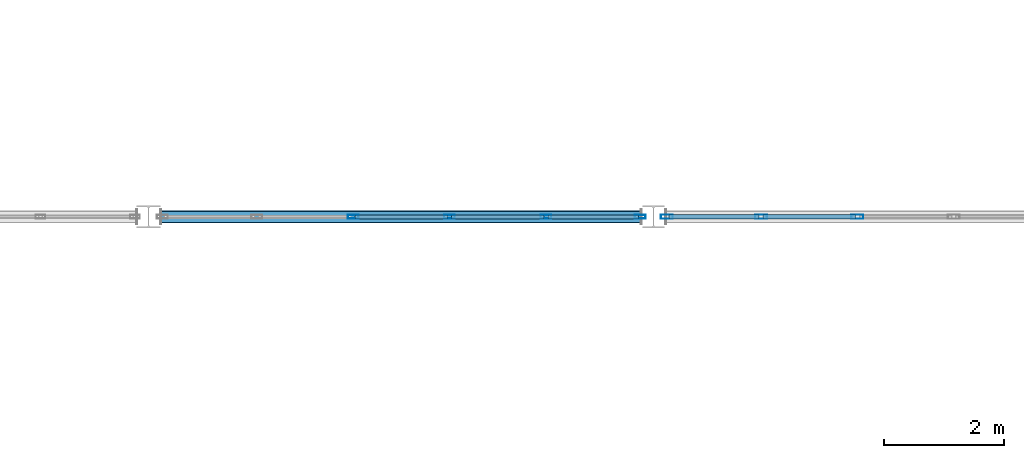
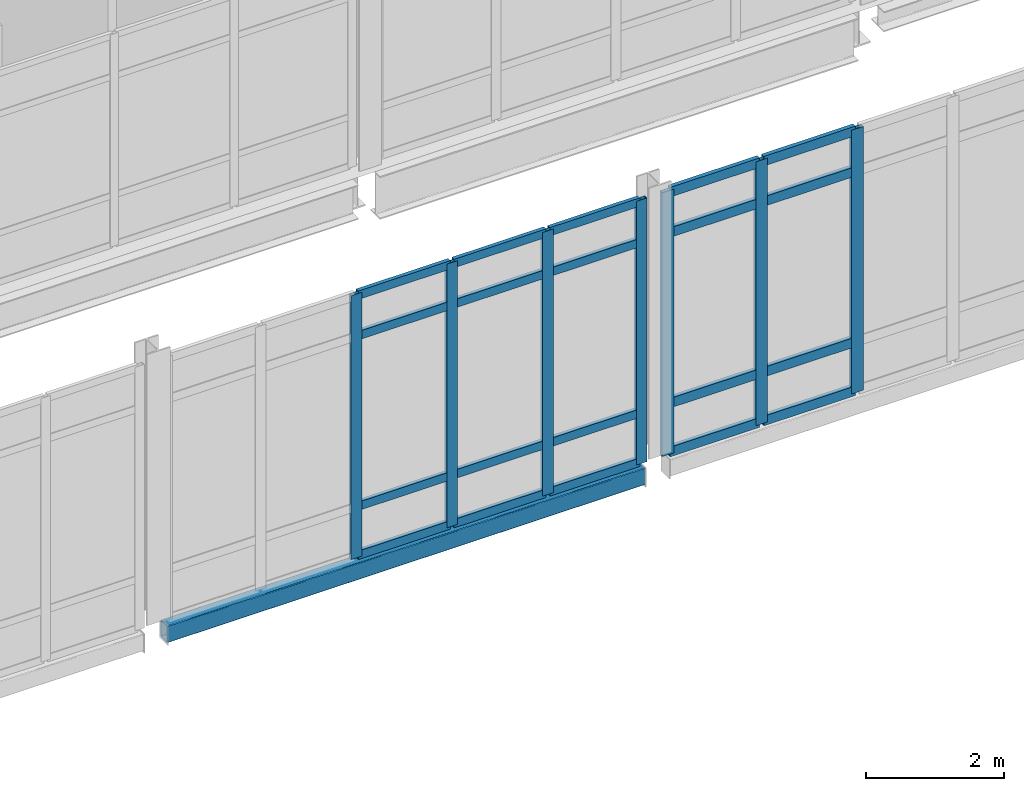
# One storey, part 21 of 186: 27 members, 1 beam, 2 elements without a shape of their own.
"""IFC4 building model written with IfcOpenShell, lengths in metres."""

from ifc_helpers import new_model, si_unit, direction, frame, origin, origin_2d, place, context, subcontext, project, spatial, hollow_rectangle, extrude, material, layer, layer_set, material_profile, profile_set, type_object, element, aggregate, save


model = new_model("IFC4")

# Units and contexts
model_context = context("Model", 3, precision=1e-05, world=origin(), true_north=direction((0.0, 1.0)))
body_context = subcontext(model_context, "Body", "Model", "MODEL_VIEW")
ifc_project = project(units=[si_unit("LENGTHUNIT", "METRE"), si_unit("AREAUNIT", "SQUARE_METRE"), si_unit("VOLUMEUNIT", "CUBIC_METRE"), si_unit("PLANEANGLEUNIT", "RADIAN"), si_unit("MASSUNIT", "GRAM", prefix="KILO")], contexts=[model_context])

# Site, building, storey
site_placement = place(None, origin())
site = spatial("IfcSite", under=ifc_project, at=site_placement, CompositionType="ELEMENT")
building_placement = place(site_placement, origin())
building = spatial("IfcBuilding", under=site, at=building_placement, Name="Calvrana Isthmian Art Gallery", CompositionType="ELEMENT")
storey_placement = place(building_placement, frame((0.0, 0.0, 5.39990234375)))
storey = spatial("IfcBuildingStorey", under=building, at=storey_placement, Name="L01", CompositionType="ELEMENT", Elevation=5.39990234375)

# Beam
ifc_material_1 = material(Name="Steel ASTM A500 Gr C", Category="steel")
ifc_material_profile_1 = material_profile(ifc_material_1, hollow_rectangle(XDim=0.203125, YDim=0.3046875, WallThickness=0.0126953125, OuterFilletRadius=0.02490234375, at=origin_2d()), Name="HSS305X203X12.7")
ifc_profile_set_1 = profile_set([ifc_material_profile_1], Name="Steel ASTM A500 Gr C")
beam_type = type_object("IfcBeamType", Name="BM-SP-HSS305", PredefinedType="SPANDREL", material=ifc_profile_set_1)
beam_placement = place(storey_placement, frame((30.199462890625, 21.60009765625, -0.349853515625), z_axis=(1.0, 0.0, 0.0), x_axis=(0.0, 1.0, 0.0)))
element("IfcBeam", 1, at=beam_placement, inside=storey, type_object=beam_type, Name="Foyer double-height spandrel L01 05-06/D", PredefinedType="SPANDREL", context=body_context, shape_type="SweptSolid", body=[
    extrude(hollow_rectangle(XDim=0.203125, YDim=0.3046875, WallThickness=0.0126953125, OuterFilletRadius=0.02490234375, at=origin_2d()), origin(), (0.0, 0.0, 1.0), 7.99755859375),
])

# Curtain wall, members
ifc_material_2 = material(Name="Anodized bronze aluminium 6063-T6", Category="aluminium")
ifc_layer = layer(ifc_material_2, 0.179931640625, Name="Anodized bronze aluminium 6063-T6")
ifc_layer_set = layer_set([ifc_layer], Name="Anodized bronze aluminium 6063-T6")
curtain_wall_type = type_object("IfcCurtainWallType", Name="CW-STICK-080X47", PredefinedType="NOTDEFINED", material=ifc_layer_set)
curtain_wall_1_placement = place(storey_placement, origin())
curtain_wall_1 = element("IfcCurtainWall", 2, at=curtain_wall_1_placement, inside=storey, type_object=curtain_wall_type, Name="Curtain wall CW-002", PredefinedType="NOTDEFINED")
ifc_material_profile_2 = material_profile(ifc_material_2, hollow_rectangle(XDim=0.06494140625, YDim=0.179931640625, WallThickness=0.00439453125, at=origin_2d()), Name="CWM65X180")
ifc_profile_set_2 = profile_set([ifc_material_profile_2], Name="Anodized bronze aluminium 6063-T6")
member_type_1 = type_object("IfcMemberType", Name="CWM-CWM65X180", PredefinedType="MULLION", material=ifc_profile_set_2)
member_1_placement = place(storey_placement, frame((38.180908203125, 21.60009765625, -0.14990234375), z_axis=(0.0, 0.0, 1.0), x_axis=(0.0, -1.0, 0.0)))
member_1 = element("IfcMember", 3, at=member_1_placement, type_object=member_type_1, Name="CW-002 mullion 1", PredefinedType="MULLION", context=body_context, shape_type="SweptSolid", body=[
    extrude(hollow_rectangle(XDim=0.06494140625, YDim=0.179931640625, WallThickness=0.00439453125, at=origin_2d()), origin(), (0.0, 0.0, 1.0), 4.669921875),
])
member_2_placement = place(storey_placement, frame((36.610107421875, 21.60009765625, -0.14990234375), z_axis=(0.0, 0.0, 1.0), x_axis=(0.0, -1.0, 0.0)))
member_2 = element("IfcMember", 4, at=member_2_placement, type_object=member_type_1, Name="CW-002 mullion 2", PredefinedType="MULLION", context=body_context, shape_type="SweptSolid", body=[
    extrude(hollow_rectangle(XDim=0.06494140625, YDim=0.179931640625, WallThickness=0.00439453125, at=origin_2d()), origin(), (0.0, 0.0, 1.0), 4.669921875),
])
member_3_placement = place(storey_placement, frame((35.0068359375, 21.60009765625, -0.14990234375), z_axis=(0.0, 0.0, 1.0), x_axis=(0.0, -1.0, 0.0)))
member_3 = element("IfcMember", 5, at=member_3_placement, type_object=member_type_1, Name="CW-002 mullion 3", PredefinedType="MULLION", context=body_context, shape_type="SweptSolid", body=[
    extrude(hollow_rectangle(XDim=0.06494140625, YDim=0.179931640625, WallThickness=0.00439453125, at=origin_2d()), origin(), (0.0, 0.0, 1.0), 4.669921875),
])
member_4_placement = place(storey_placement, frame((33.403564453125, 21.60009765625, -0.14990234375), z_axis=(0.0, 0.0, 1.0), x_axis=(0.0, -1.0, 0.0)))
member_4 = element("IfcMember", 6, at=member_4_placement, type_object=member_type_1, Name="CW-002 mullion 4", PredefinedType="MULLION", context=body_context, shape_type="SweptSolid", body=[
    extrude(hollow_rectangle(XDim=0.06494140625, YDim=0.179931640625, WallThickness=0.00439453125, at=origin_2d()), origin(), (0.0, 0.0, 1.0), 4.669921875),
])

curtain_wall_2_placement = place(storey_placement, origin())
curtain_wall_2 = element("IfcCurtainWall", 7, at=curtain_wall_2_placement, inside=storey, type_object=curtain_wall_type, Name="Curtain wall CW-003", PredefinedType="NOTDEFINED")
ifc_material_profile_3 = material_profile(ifc_material_2, hollow_rectangle(XDim=0.070068359375, YDim=0.199951171875, WallThickness=0.0048828125, at=origin_2d()), Name="CWM70X200")
ifc_profile_set_3 = profile_set([ifc_material_profile_3], Name="Anodized bronze aluminium 6063-T6")
member_type_2 = type_object("IfcMemberType", Name="CWM-CWM70X200", PredefinedType="MULLION", material=ifc_profile_set_3)
member_5_placement = place(storey_placement, frame((41.7919921875, 21.60009765625, -0.14990234375), z_axis=(0.0, 0.0, 1.0), x_axis=(0.0, -1.0, 0.0)))
member_5 = element("IfcMember", 8, at=member_5_placement, type_object=member_type_2, Name="CW-003 mullion 4", PredefinedType="MULLION", context=body_context, shape_type="SweptSolid", body=[
    extrude(hollow_rectangle(XDim=0.070068359375, YDim=0.199951171875, WallThickness=0.0048828125, at=origin_2d()), origin(), (0.0, 0.0, 1.0), 4.669921875),
])
member_6_placement = place(storey_placement, frame((40.189208984375, 21.60009765625, -0.14990234375), z_axis=(0.0, 0.0, 1.0), x_axis=(0.0, -1.0, 0.0)))
member_6 = element("IfcMember", 9, at=member_6_placement, type_object=member_type_2, Name="CW-003 mullion 5", PredefinedType="MULLION", context=body_context, shape_type="SweptSolid", body=[
    extrude(hollow_rectangle(XDim=0.070068359375, YDim=0.199951171875, WallThickness=0.0048828125, at=origin_2d()), origin(), (0.0, 0.0, 1.0), 4.669921875),
])
member_7_placement = place(storey_placement, frame((38.62158203125, 21.60009765625, -0.14990234375), z_axis=(0.0, 0.0, 1.0), x_axis=(0.0, -1.0, 0.0)))
member_7 = element("IfcMember", 10, at=member_7_placement, type_object=member_type_2, Name="CW-003 mullion 6", PredefinedType="MULLION", context=body_context, shape_type="SweptSolid", body=[
    extrude(hollow_rectangle(XDim=0.070068359375, YDim=0.199951171875, WallThickness=0.0048828125, at=origin_2d()), origin(), (0.0, 0.0, 1.0), 4.669921875),
])

# Member
ifc_material_profile_4 = material_profile(ifc_material_2, hollow_rectangle(XDim=0.06494140625, YDim=0.14990234375, WallThickness=0.00390625, at=origin_2d()), Name="CWT65X150")
ifc_profile_set_4 = profile_set([ifc_material_profile_4], Name="Anodized bronze aluminium 6063-T6")
member_type_3 = type_object("IfcMemberType", Name="CWT-CWT65X150", PredefinedType="USERDEFINED", material=ifc_profile_set_4)
member_8_placement = place(storey_placement, frame((38.1484375, 21.60009765625, -0.117431640625), z_axis=(-1.0, 0.0, 0.0), x_axis=(0.0, -1.0, 0.0)))
member_8 = element("IfcMember", 11, at=member_8_placement, type_object=member_type_3, Name="CW-002 transom 1.1", ObjectType="TRANSOM", PredefinedType="USERDEFINED", context=body_context, shape_type="SweptSolid", body=[
    extrude(hollow_rectangle(XDim=0.06494140625, YDim=0.14990234375, WallThickness=0.00390625, at=origin_2d()), origin(), (0.0, 0.0, 1.0), 1.505859375),
])

member_9_placement = place(storey_placement, frame((38.1484375, 21.60009765625, 0.75), z_axis=(-1.0, 0.0, 0.0), x_axis=(0.0, -1.0, 0.0)))
member_9 = element("IfcMember", 12, at=member_9_placement, type_object=member_type_3, Name="CW-002 transom 1.2", ObjectType="TRANSOM", PredefinedType="USERDEFINED", context=body_context, shape_type="SweptSolid", body=[
    extrude(hollow_rectangle(XDim=0.06494140625, YDim=0.14990234375, WallThickness=0.00390625, at=origin_2d()), origin(), (0.0, 0.0, 1.0), 1.505859375),
])

member_10_placement = place(storey_placement, frame((38.1484375, 21.60009765625, 3.77001953125), z_axis=(-1.0, 0.0, 0.0), x_axis=(0.0, -1.0, 0.0)))
member_10 = element("IfcMember", 13, at=member_10_placement, type_object=member_type_3, Name="CW-002 transom 1.3", ObjectType="TRANSOM", PredefinedType="USERDEFINED", context=body_context, shape_type="SweptSolid", body=[
    extrude(hollow_rectangle(XDim=0.06494140625, YDim=0.14990234375, WallThickness=0.00390625, at=origin_2d()), origin(), (0.0, 0.0, 1.0), 1.505859375),
])

member_11_placement = place(storey_placement, frame((38.1484375, 21.60009765625, 4.487548828125), z_axis=(-1.0, 0.0, 0.0), x_axis=(0.0, -1.0, 0.0)))
member_11 = element("IfcMember", 14, at=member_11_placement, type_object=member_type_3, Name="CW-002 transom 1.4", ObjectType="TRANSOM", PredefinedType="USERDEFINED", context=body_context, shape_type="SweptSolid", body=[
    extrude(hollow_rectangle(XDim=0.06494140625, YDim=0.14990234375, WallThickness=0.00390625, at=origin_2d()), origin(), (0.0, 0.0, 1.0), 1.505859375),
])

member_12_placement = place(storey_placement, frame((36.57763671875, 21.60009765625, -0.117431640625), z_axis=(-1.0, 0.0, 0.0), x_axis=(0.0, -1.0, 0.0)))
member_12 = element("IfcMember", 15, at=member_12_placement, type_object=member_type_3, Name="CW-002 transom 2.1", ObjectType="TRANSOM", PredefinedType="USERDEFINED", context=body_context, shape_type="SweptSolid", body=[
    extrude(hollow_rectangle(XDim=0.06494140625, YDim=0.14990234375, WallThickness=0.00390625, at=origin_2d()), origin(), (0.0, 0.0, 1.0), 1.538330078125),
])

member_13_placement = place(storey_placement, frame((36.57763671875, 21.60009765625, 0.75), z_axis=(-1.0, 0.0, 0.0), x_axis=(0.0, -1.0, 0.0)))
member_13 = element("IfcMember", 16, at=member_13_placement, type_object=member_type_3, Name="CW-002 transom 2.2", ObjectType="TRANSOM", PredefinedType="USERDEFINED", context=body_context, shape_type="SweptSolid", body=[
    extrude(hollow_rectangle(XDim=0.06494140625, YDim=0.14990234375, WallThickness=0.00390625, at=origin_2d()), origin(), (0.0, 0.0, 1.0), 1.538330078125),
])

member_14_placement = place(storey_placement, frame((36.57763671875, 21.60009765625, 3.77001953125), z_axis=(-1.0, 0.0, 0.0), x_axis=(0.0, -1.0, 0.0)))
member_14 = element("IfcMember", 17, at=member_14_placement, type_object=member_type_3, Name="CW-002 transom 2.3", ObjectType="TRANSOM", PredefinedType="USERDEFINED", context=body_context, shape_type="SweptSolid", body=[
    extrude(hollow_rectangle(XDim=0.06494140625, YDim=0.14990234375, WallThickness=0.00390625, at=origin_2d()), origin(), (0.0, 0.0, 1.0), 1.538330078125),
])

member_15_placement = place(storey_placement, frame((36.57763671875, 21.60009765625, 4.487548828125), z_axis=(-1.0, 0.0, 0.0), x_axis=(0.0, -1.0, 0.0)))
member_15 = element("IfcMember", 18, at=member_15_placement, type_object=member_type_3, Name="CW-002 transom 2.4", ObjectType="TRANSOM", PredefinedType="USERDEFINED", context=body_context, shape_type="SweptSolid", body=[
    extrude(hollow_rectangle(XDim=0.06494140625, YDim=0.14990234375, WallThickness=0.00390625, at=origin_2d()), origin(), (0.0, 0.0, 1.0), 1.538330078125),
])

member_16_placement = place(storey_placement, frame((34.974365234375, 21.60009765625, -0.117431640625), z_axis=(-1.0, 0.0, 0.0), x_axis=(0.0, -1.0, 0.0)))
member_16 = element("IfcMember", 19, at=member_16_placement, type_object=member_type_3, Name="CW-002 transom 3.1", ObjectType="TRANSOM", PredefinedType="USERDEFINED", context=body_context, shape_type="SweptSolid", body=[
    extrude(hollow_rectangle(XDim=0.06494140625, YDim=0.14990234375, WallThickness=0.00390625, at=origin_2d()), origin(), (0.0, 0.0, 1.0), 1.538330078125),
])

member_17_placement = place(storey_placement, frame((34.974365234375, 21.60009765625, 0.75), z_axis=(-1.0, 0.0, 0.0), x_axis=(0.0, -1.0, 0.0)))
member_17 = element("IfcMember", 20, at=member_17_placement, type_object=member_type_3, Name="CW-002 transom 3.2", ObjectType="TRANSOM", PredefinedType="USERDEFINED", context=body_context, shape_type="SweptSolid", body=[
    extrude(hollow_rectangle(XDim=0.06494140625, YDim=0.14990234375, WallThickness=0.00390625, at=origin_2d()), origin(), (0.0, 0.0, 1.0), 1.538330078125),
])

member_18_placement = place(storey_placement, frame((34.974365234375, 21.60009765625, 3.77001953125), z_axis=(-1.0, 0.0, 0.0), x_axis=(0.0, -1.0, 0.0)))
member_18 = element("IfcMember", 21, at=member_18_placement, type_object=member_type_3, Name="CW-002 transom 3.3", ObjectType="TRANSOM", PredefinedType="USERDEFINED", context=body_context, shape_type="SweptSolid", body=[
    extrude(hollow_rectangle(XDim=0.06494140625, YDim=0.14990234375, WallThickness=0.00390625, at=origin_2d()), origin(), (0.0, 0.0, 1.0), 1.538330078125),
])

member_19_placement = place(storey_placement, frame((34.974365234375, 21.60009765625, 4.487548828125), z_axis=(-1.0, 0.0, 0.0), x_axis=(0.0, -1.0, 0.0)))
member_19 = element("IfcMember", 22, at=member_19_placement, type_object=member_type_3, Name="CW-002 transom 3.4", ObjectType="TRANSOM", PredefinedType="USERDEFINED", context=body_context, shape_type="SweptSolid", body=[
    extrude(hollow_rectangle(XDim=0.06494140625, YDim=0.14990234375, WallThickness=0.00390625, at=origin_2d()), origin(), (0.0, 0.0, 1.0), 1.538330078125),
])

aggregate(curtain_wall_1, [member_1, member_2, member_3, member_4, member_8, member_9, member_10, member_11, member_12, member_13, member_14, member_15, member_16, member_17, member_18, member_19])

ifc_material_profile_5 = material_profile(ifc_material_2, hollow_rectangle(XDim=0.070068359375, YDim=0.169921875, WallThickness=0.00439453125, at=origin_2d()), Name="CWT70X170")
ifc_profile_set_5 = profile_set([ifc_material_profile_5], Name="Anodized bronze aluminium 6063-T6")
member_type_4 = type_object("IfcMemberType", Name="CWT-CWT70X170", PredefinedType="USERDEFINED", material=ifc_profile_set_5)
member_20_placement = place(storey_placement, frame((41.757080078125, 21.60009765625, -0.114990234375), z_axis=(-1.0, 0.0, 0.0), x_axis=(0.0, -1.0, 0.0)))
member_20 = element("IfcMember", 23, at=member_20_placement, type_object=member_type_4, Name="CW-003 transom 4.1", ObjectType="TRANSOM", PredefinedType="USERDEFINED", context=body_context, shape_type="SweptSolid", body=[
    extrude(hollow_rectangle(XDim=0.070068359375, YDim=0.169921875, WallThickness=0.00439453125, at=origin_2d()), origin(), (0.0, 0.0, 1.0), 1.53271484375),
])

member_21_placement = place(storey_placement, frame((41.757080078125, 21.60009765625, 0.75), z_axis=(-1.0, 0.0, 0.0), x_axis=(0.0, -1.0, 0.0)))
member_21 = element("IfcMember", 24, at=member_21_placement, type_object=member_type_4, Name="CW-003 transom 4.2", ObjectType="TRANSOM", PredefinedType="USERDEFINED", context=body_context, shape_type="SweptSolid", body=[
    extrude(hollow_rectangle(XDim=0.070068359375, YDim=0.169921875, WallThickness=0.00439453125, at=origin_2d()), origin(), (0.0, 0.0, 1.0), 1.53271484375),
])

member_22_placement = place(storey_placement, frame((41.757080078125, 21.60009765625, 3.77001953125), z_axis=(-1.0, 0.0, 0.0), x_axis=(0.0, -1.0, 0.0)))
member_22 = element("IfcMember", 25, at=member_22_placement, type_object=member_type_4, Name="CW-003 transom 4.3", ObjectType="TRANSOM", PredefinedType="USERDEFINED", context=body_context, shape_type="SweptSolid", body=[
    extrude(hollow_rectangle(XDim=0.070068359375, YDim=0.169921875, WallThickness=0.00439453125, at=origin_2d()), origin(), (0.0, 0.0, 1.0), 1.53271484375),
])

member_23_placement = place(storey_placement, frame((41.757080078125, 21.60009765625, 4.485107421875), z_axis=(-1.0, 0.0, 0.0), x_axis=(0.0, -1.0, 0.0)))
member_23 = element("IfcMember", 26, at=member_23_placement, type_object=member_type_4, Name="CW-003 transom 4.4", ObjectType="TRANSOM", PredefinedType="USERDEFINED", context=body_context, shape_type="SweptSolid", body=[
    extrude(hollow_rectangle(XDim=0.070068359375, YDim=0.169921875, WallThickness=0.00439453125, at=origin_2d()), origin(), (0.0, 0.0, 1.0), 1.53271484375),
])

member_24_placement = place(storey_placement, frame((40.154296875, 21.60009765625, -0.114990234375), z_axis=(-1.0, 0.0, 0.0), x_axis=(0.0, -1.0, 0.0)))
member_24 = element("IfcMember", 27, at=member_24_placement, type_object=member_type_4, Name="CW-003 transom 5.1", ObjectType="TRANSOM", PredefinedType="USERDEFINED", context=body_context, shape_type="SweptSolid", body=[
    extrude(hollow_rectangle(XDim=0.070068359375, YDim=0.169921875, WallThickness=0.00439453125, at=origin_2d()), origin(), (0.0, 0.0, 1.0), 1.497802734375),
])

member_25_placement = place(storey_placement, frame((40.154296875, 21.60009765625, 0.75), z_axis=(-1.0, 0.0, 0.0), x_axis=(0.0, -1.0, 0.0)))
member_25 = element("IfcMember", 28, at=member_25_placement, type_object=member_type_4, Name="CW-003 transom 5.2", ObjectType="TRANSOM", PredefinedType="USERDEFINED", context=body_context, shape_type="SweptSolid", body=[
    extrude(hollow_rectangle(XDim=0.070068359375, YDim=0.169921875, WallThickness=0.00439453125, at=origin_2d()), origin(), (0.0, 0.0, 1.0), 1.497802734375),
])

member_26_placement = place(storey_placement, frame((40.154296875, 21.60009765625, 3.77001953125), z_axis=(-1.0, 0.0, 0.0), x_axis=(0.0, -1.0, 0.0)))
member_26 = element("IfcMember", 29, at=member_26_placement, type_object=member_type_4, Name="CW-003 transom 5.3", ObjectType="TRANSOM", PredefinedType="USERDEFINED", context=body_context, shape_type="SweptSolid", body=[
    extrude(hollow_rectangle(XDim=0.070068359375, YDim=0.169921875, WallThickness=0.00439453125, at=origin_2d()), origin(), (0.0, 0.0, 1.0), 1.497802734375),
])

member_27_placement = place(storey_placement, frame((40.154296875, 21.60009765625, 4.485107421875), z_axis=(-1.0, 0.0, 0.0), x_axis=(0.0, -1.0, 0.0)))
member_27 = element("IfcMember", 30, at=member_27_placement, type_object=member_type_4, Name="CW-003 transom 5.4", ObjectType="TRANSOM", PredefinedType="USERDEFINED", context=body_context, shape_type="SweptSolid", body=[
    extrude(hollow_rectangle(XDim=0.070068359375, YDim=0.169921875, WallThickness=0.00439453125, at=origin_2d()), origin(), (0.0, 0.0, 1.0), 1.497802734375),
])

aggregate(curtain_wall_2, [member_5, member_6, member_7, member_20, member_21, member_22, member_23, member_24, member_25, member_26, member_27])

save(model, "model.ifc")
